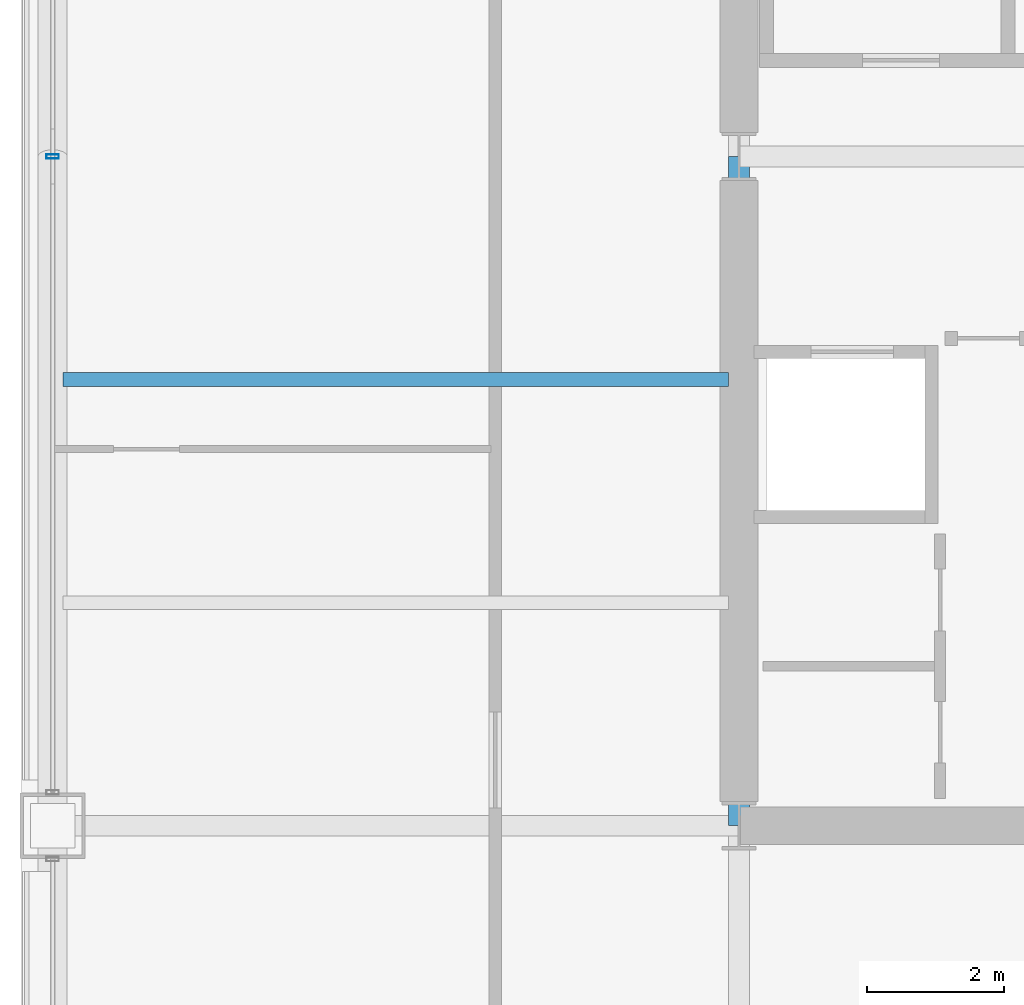
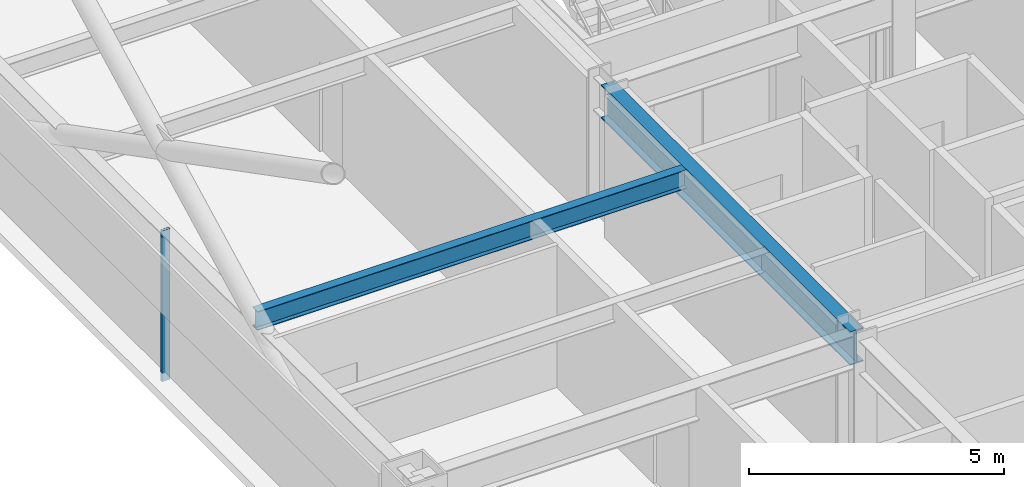
# One storey, part 9 of 33: 2 beams, 1 member, 1 element without a shape of its own.
"""IFC4 building model written with IfcOpenShell, lengths in metres."""

from ifc_helpers import new_model, si_unit, direction, frame, origin, origin_2d, place, context, subcontext, project, spatial, hollow_rectangle, i_section, extrude, material, layer, layer_set, material_profile, profile_set, type_object, element, aggregate, save


model = new_model("IFC4")

# Units and contexts
model_context = context("Model", 3, precision=1e-05, world=origin(), true_north=direction((0.0, 1.0)))
body_context = subcontext(model_context, "Body", "Model", "MODEL_VIEW")
ifc_project = project(units=[si_unit("LENGTHUNIT", "METRE"), si_unit("AREAUNIT", "SQUARE_METRE"), si_unit("VOLUMEUNIT", "CUBIC_METRE"), si_unit("PLANEANGLEUNIT", "RADIAN"), si_unit("MASSUNIT", "GRAM", prefix="KILO")], contexts=[model_context])

# Site, building, storey
site_placement = place(None, origin())
site = spatial("IfcSite", under=ifc_project, at=site_placement, CompositionType="ELEMENT")
building_placement = place(site_placement, origin())
building = spatial("IfcBuilding", under=site, at=building_placement, Name="Brelmoor Portico Tower", CompositionType="ELEMENT")
storey_placement = place(building_placement, frame((0.0, 0.0, 34.800048828125)))
storey = spatial("IfcBuildingStorey", under=building, at=storey_placement, Name="L08", CompositionType="ELEMENT", Elevation=34.800048828125)

# Beams
ifc_material_1 = material(Name="Steel Q355B", Category="steel")
ifc_material_profile_1 = material_profile(ifc_material_1, i_section(OverallWidth=0.199951171875, OverallDepth=0.449951171875, WebThickness=0.009033203125, FlangeThickness=0.013916015625, at=origin_2d()), Name="HN 450x200x9x14")
ifc_profile_set_1 = profile_set([ifc_material_profile_1], Name="Steel Q355B")
beam_type_1 = type_object("IfcBeamType", Name="BM-JS-450", PredefinedType="JOIST", material=ifc_profile_set_1)
beam_1_placement = place(storey_placement, frame((-24.39990234375, -3.25, 3.175048828125), z_axis=(1.0, 0.0, 0.0), x_axis=(0.0, 1.0, 0.0)))
element("IfcBeam", 1, at=beam_1_placement, inside=storey, type_object=beam_type_1, Name="L08 Secondary Wing Joist JS-W06", PredefinedType="JOIST", context=body_context, shape_type="SweptSolid", body=[
    extrude(i_section(OverallWidth=0.199951171875, OverallDepth=0.449951171875, WebThickness=0.009033203125, FlangeThickness=0.013916015625, at=origin_2d()), origin(), (0.0, 0.0, 1.0), 9.699951171875),
])
ifc_material_profile_2 = material_profile(ifc_material_1, i_section(OverallWidth=0.300048828125, OverallDepth=0.800048828125, WebThickness=0.013916015625, FlangeThickness=0.02587890625, at=origin_2d()), Name="HN 800x300x14x26")
ifc_profile_set_2 = profile_set([ifc_material_profile_2], Name="Steel Q355B")
beam_type_2 = type_object("IfcBeamType", Name="BM-PG-800", PredefinedType="BEAM", material=ifc_profile_set_2)
beam_2_placement = place(storey_placement, frame((-14.550048828125, -9.75, 3.0), z_axis=(0.0, 1.0, 0.0), x_axis=(-1.0, 0.0, 0.0)))
element("IfcBeam", 2, at=beam_2_placement, inside=storey, type_object=beam_type_2, Name="L08 Primary Floor Girder PG-04", PredefinedType="BEAM", context=body_context, shape_type="SweptSolid", body=[
    extrude(i_section(OverallWidth=0.300048828125, OverallDepth=0.800048828125, WebThickness=0.013916015625, FlangeThickness=0.02587890625, at=origin_2d()), origin(), (0.0, 0.0, 1.0), 9.75),
])

# Curtain wall, member
ifc_material_2 = material(Name="Anodised Aluminium Alloy 6063-T6", Category="aluminium")
ifc_layer = layer(ifc_material_2, 0.179931640625)
ifc_layer_set = layer_set([ifc_layer], Name="Anodised Aluminium Alloy 6063-T6")
curtain_wall_type = type_object("IfcCurtainWallType", Name="CW-TOWER-Z1-XB", PredefinedType="NOTDEFINED", material=ifc_layer_set)
curtain_wall_placement = place(storey_placement, origin())
curtain_wall = element("IfcCurtainWall", 3, at=curtain_wall_placement, inside=storey, type_object=curtain_wall_type, Name="L08 Curtain Wall CW-L08-03-2", PredefinedType="NOTDEFINED")
ifc_material_profile_3 = material_profile(ifc_material_2, hollow_rectangle(XDim=0.06494140625, YDim=0.179931640625, WallThickness=0.00390625, at=origin_2d()), Name="ALU MULLION 65x180")
ifc_profile_set_3 = profile_set([ifc_material_profile_3], Name="Anodised Aluminium Alloy 6063-T6")
member_type = type_object("IfcMemberType", Name="MB-CW-MULL-180", PredefinedType="MULLION", material=ifc_profile_set_3)
member_placement = place(storey_placement, frame((-24.550048828125, 0.0, -0.199951171875), z_axis=(0.0, 0.0, 1.0), x_axis=(0.0, 1.0, 0.0)))
member = element("IfcMember", 4, at=member_placement, type_object=member_type, Name="CW-L08-03-2 Mullion 01", PredefinedType="MULLION", context=body_context, shape_type="SweptSolid", body=[
    extrude(hollow_rectangle(XDim=0.06494140625, YDim=0.179931640625, WallThickness=0.00390625, at=origin_2d()), origin(), (0.0, 0.0, 1.0), 3.599853515625),
])
aggregate(curtain_wall, [member])

save(model, "model.ifc")
